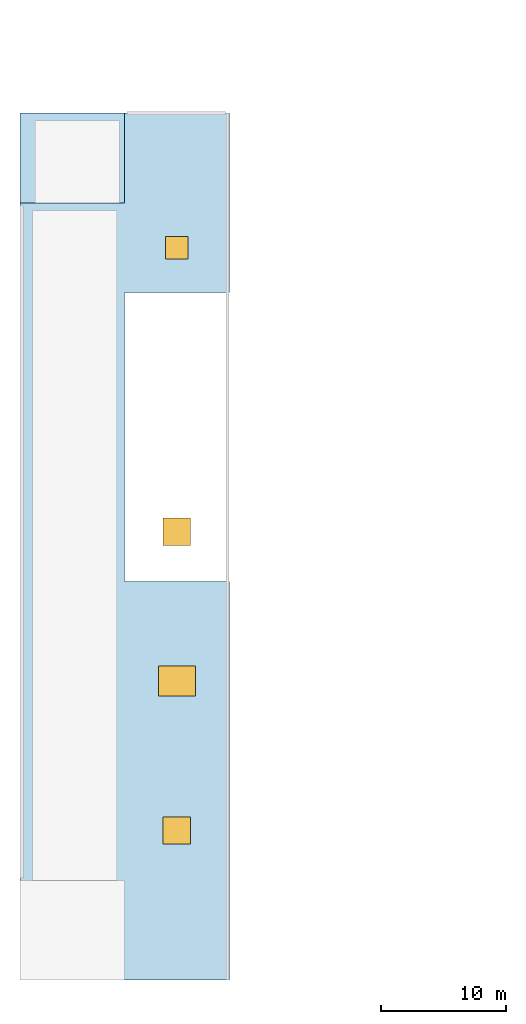
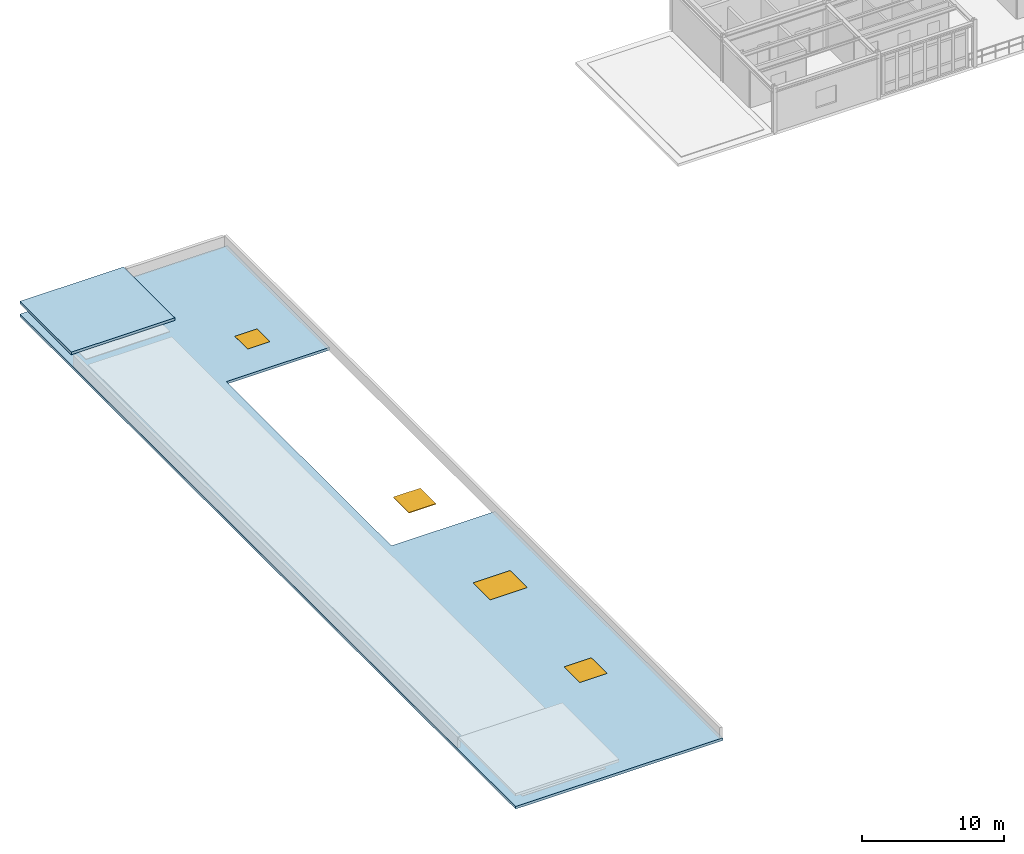
# One storey, part 9 of 20: 4 windows, 2 slabs, 4 openings.
"""IFC4 building model written with IfcOpenShell, lengths in metres."""

from ifc_helpers import new_model, si_unit, derived_unit, direction, frame, origin, origin_2d, place, context, subcontext, project, spatial, polyline, rectangle, outline, extrude, material, layer, layer_set, type_object, element, fill, save


model = new_model("IFC4")

# Units and contexts
model_context = context("Model", 3, precision=1e-05, world=origin(), true_north=direction((0.0, 1.0)))
body_context = subcontext(model_context, "Body", "Model", "MODEL_VIEW")
ifc_project = project(units=[si_unit("LENGTHUNIT", "METRE"), si_unit("AREAUNIT", "SQUARE_METRE"), si_unit("VOLUMEUNIT", "CUBIC_METRE"), si_unit("PLANEANGLEUNIT", "RADIAN"), si_unit("MASSUNIT", "GRAM", prefix="KILO"), derived_unit("THERMALTRANSMITTANCEUNIT", [(si_unit("POWERUNIT", "WATT"), 1), (si_unit("AREAUNIT", "SQUARE_METRE"), -1), (si_unit("THERMODYNAMICTEMPERATUREUNIT", "KELVIN"), -1)])], contexts=[model_context])

# Site, building, storey
site_placement = place(None, origin())
site = spatial("IfcSite", under=ifc_project, at=site_placement, CompositionType="ELEMENT")
building_placement = place(site_placement, origin())
building = spatial("IfcBuilding", under=site, at=building_placement, Name="Yasenodar Specialist Clinic", CompositionType="ELEMENT")
storey_placement = place(building_placement, frame((0.0, 0.0, 25.35009765625)))
storey = spatial("IfcBuildingStorey", under=building, at=storey_placement, Name="L06", CompositionType="ELEMENT", Elevation=25.35009765625)

# Slab
ifc_material_1 = material(Name="Concrete C30/37", Category="concrete")
ifc_layer = layer(ifc_material_1, 0.22509765625)
ifc_layer_set = layer_set([ifc_layer], Name="Concrete C30/37")
slab_type = type_object("IfcSlabType", Name="SLB-ROOF-225", PredefinedType="ROOF", material=ifc_layer_set)
slab_1_placement = place(storey_placement, frame((0.0, 0.0, 0.875)))
element("IfcSlab", 1, at=slab_1_placement, inside=storey, type_object=slab_type, Name="Core C2 Overrun Roof Slab", PredefinedType="ROOF", context=body_context, shape_type="SweptSolid", body=[
    extrude(outline(polyline([(0.0, 97.199951171875), (8.39990234375, 97.199951171875), (8.39990234375, 104.39990234375), (0.0, 104.39990234375), (0.0, 97.199951171875)])), origin(), (0.0, 0.0, 1.0), 0.224853515625),
])

# Slab, openings, windows
slab_2_placement = place(storey_placement, frame((0.0, 0.0, -0.22509765625)))
slab_2 = element("IfcSlab", 2, at=slab_2_placement, inside=storey, type_object=slab_type, Name="V4 Street Wing Main Roof Slab", PredefinedType="ROOF", context=body_context, shape_type="SweptSolid", body=[
    extrude(outline(polyline([(0.0, 104.39990234375), (16.800048828125, 104.39990234375), (16.800048828125, 90.0), (8.39990234375, 90.0), (8.39990234375, 66.800048828125), (16.800048828125, 66.800048828125), (16.800048828125, 34.800048828125), (0.0, 34.800048828125), (0.0, 104.39990234375)]), holes=[polyline([(14.10009765625, 57.60009765625), (14.10009765625, 60.0), (11.10009765625, 60.0), (11.10009765625, 57.60009765625), (14.10009765625, 57.60009765625)]), polyline([(13.699951171875, 45.699951171875), (13.699951171875, 47.89990234375), (11.5, 47.89990234375), (11.5, 45.699951171875), (13.699951171875, 45.699951171875)]), polyline([(13.5, 92.699951171875), (13.5, 94.5), (11.699951171875, 94.5), (11.699951171875, 92.699951171875), (13.5, 92.699951171875)])]), origin(), (0.0, 0.0, 1.0), 0.22509765625),
])
opening_1_placement = place(slab_2_placement, frame((12.60009765625, 70.800048828125, -0.010009765625)))
opening_1 = element("IfcOpeningElement", 3, at=opening_1_placement, cuts=slab_2, Name="Opening SK-01", PredefinedType="OPENING", context=body_context, shape_type="SweptSolid", body=[
    extrude(rectangle(XDim=2.199951171875, YDim=2.199951171875, at=origin_2d()), origin(), (0.0, 0.0, 1.0), 0.2451171875),
])
opening_2_placement = place(slab_2_placement, frame((12.60009765625, 46.800048828125, -0.010009765625)))
opening_2 = element("IfcOpeningElement", 4, at=opening_2_placement, cuts=slab_2, Name="Opening SK-01", PredefinedType="OPENING", context=body_context, shape_type="SweptSolid", body=[
    extrude(rectangle(XDim=2.199951171875, YDim=2.199951171875, at=origin_2d()), origin(), (0.0, 0.0, 1.0), 0.2451171875),
])
opening_3_placement = place(slab_2_placement, frame((12.60009765625, 58.800048828125, -0.010009765625)))
opening_3 = element("IfcOpeningElement", 5, at=opening_3_placement, cuts=slab_2, Name="Opening SK-03", PredefinedType="OPENING", context=body_context, shape_type="SweptSolid", body=[
    extrude(rectangle(XDim=3.0, YDim=2.39990234375, at=origin_2d()), origin(), (0.0, 0.0, 1.0), 0.2451171875),
])
opening_4_placement = place(slab_2_placement, frame((12.60009765625, 93.60009765625, -0.010009765625)))
opening_4 = element("IfcOpeningElement", 6, at=opening_4_placement, cuts=slab_2, Name="Opening SK-05", PredefinedType="OPENING", context=body_context, shape_type="SweptSolid", body=[
    extrude(rectangle(XDim=1.800048828125, YDim=1.800048828125, at=origin_2d()), origin(), (0.0, 0.0, 1.0), 0.2451171875),
])
ifc_material_2 = material(Name="Triple Laminated Low-E Skylight Glazing", Category="glass")
window_type_1 = type_object("IfcWindowType", Name="SKY-RF-01", PartitioningType="SINGLE_PANEL", PredefinedType="SKYLIGHT", material=ifc_material_2)
window_1_placement = place(slab_2_placement, frame((12.60009765625, 70.800048828125, 0.175048828125)))
window_1 = element("IfcWindow", 7, at=window_1_placement, inside=storey, type_object=window_type_1, Name="L06 Triple-Glazed Roof Skylight 01", OverallHeight=2.199951171875, OverallWidth=2.199951171875, PartitioningType="SINGLE_PANEL", PredefinedType="SKYLIGHT", context=body_context, shape_type="SweptSolid", body=[
    extrude(rectangle(XDim=2.199951171875, YDim=2.199951171875, at=origin_2d()), origin(), (0.0, 0.0, 1.0), 0.050048828125),
])
fill(opening_1, window_1)
window_2_placement = place(slab_2_placement, frame((12.60009765625, 46.800048828125, 0.175048828125)))
window_2 = element("IfcWindow", 8, at=window_2_placement, inside=storey, type_object=window_type_1, Name="L06 Triple-Glazed Roof Skylight 11", OverallHeight=2.199951171875, OverallWidth=2.199951171875, PartitioningType="SINGLE_PANEL", PredefinedType="SKYLIGHT", context=body_context, shape_type="SweptSolid", body=[
    extrude(rectangle(XDim=2.199951171875, YDim=2.199951171875, at=origin_2d()), origin(), (0.0, 0.0, 1.0), 0.050048828125),
])
fill(opening_2, window_2)
window_type_2 = type_object("IfcWindowType", Name="SKY-RF-03", PartitioningType="SINGLE_PANEL", PredefinedType="SKYLIGHT", material=ifc_material_2)
window_3_placement = place(slab_2_placement, frame((12.60009765625, 58.800048828125, 0.175048828125)))
window_3 = element("IfcWindow", 9, at=window_3_placement, inside=storey, type_object=window_type_2, Name="L06 Triple-Glazed Roof Skylight 12", OverallHeight=2.39990234375, OverallWidth=3.0, PartitioningType="SINGLE_PANEL", PredefinedType="SKYLIGHT", context=body_context, shape_type="SweptSolid", body=[
    extrude(rectangle(XDim=3.0, YDim=2.39990234375, at=origin_2d()), origin(), (0.0, 0.0, 1.0), 0.050048828125),
])
fill(opening_3, window_3)
window_type_3 = type_object("IfcWindowType", Name="SKY-RF-05", PartitioningType="SINGLE_PANEL", PredefinedType="SKYLIGHT", material=ifc_material_2)
window_4_placement = place(slab_2_placement, frame((12.60009765625, 93.60009765625, 0.175048828125)))
window_4 = element("IfcWindow", 10, at=window_4_placement, inside=storey, type_object=window_type_3, Name="L06 Triple-Glazed Roof Skylight 13", OverallHeight=1.800048828125, OverallWidth=1.800048828125, PartitioningType="SINGLE_PANEL", PredefinedType="SKYLIGHT", context=body_context, shape_type="SweptSolid", body=[
    extrude(rectangle(XDim=1.800048828125, YDim=1.800048828125, at=origin_2d()), origin(), (0.0, 0.0, 1.0), 0.050048828125),
])
fill(opening_4, window_4)

save(model, "model.ifc")
